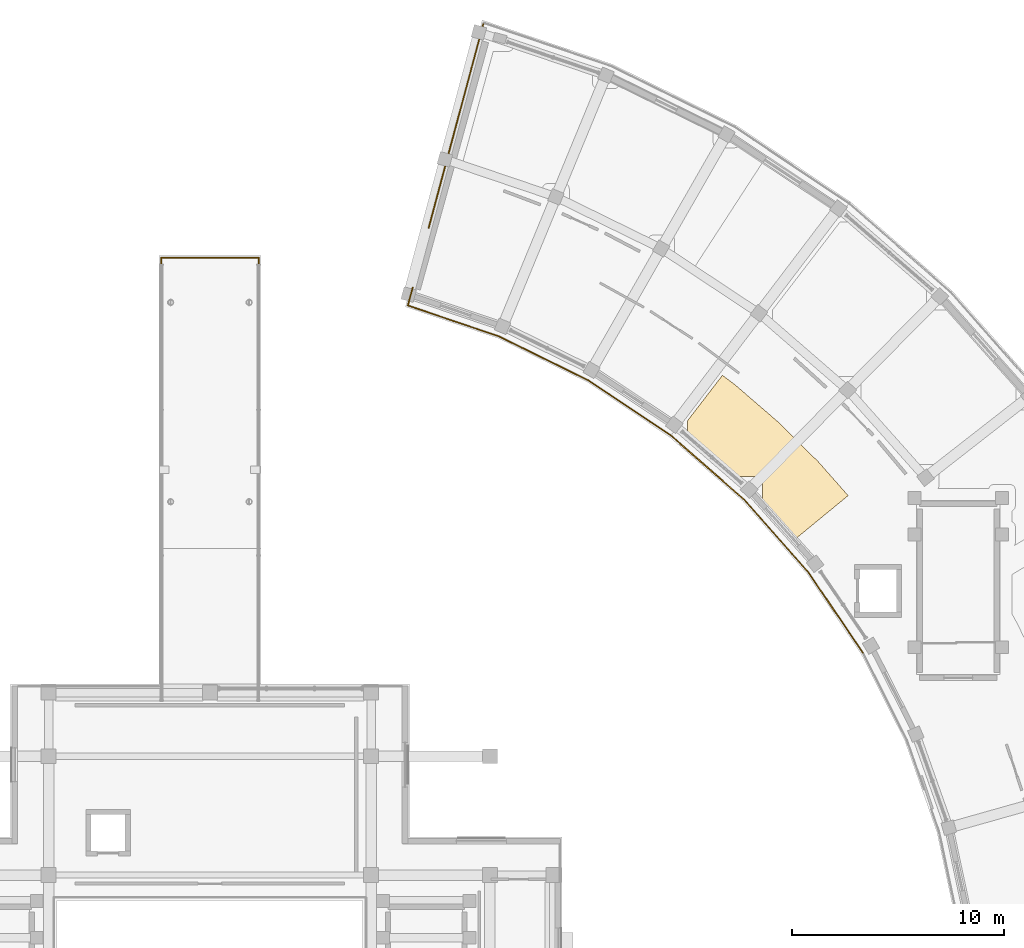
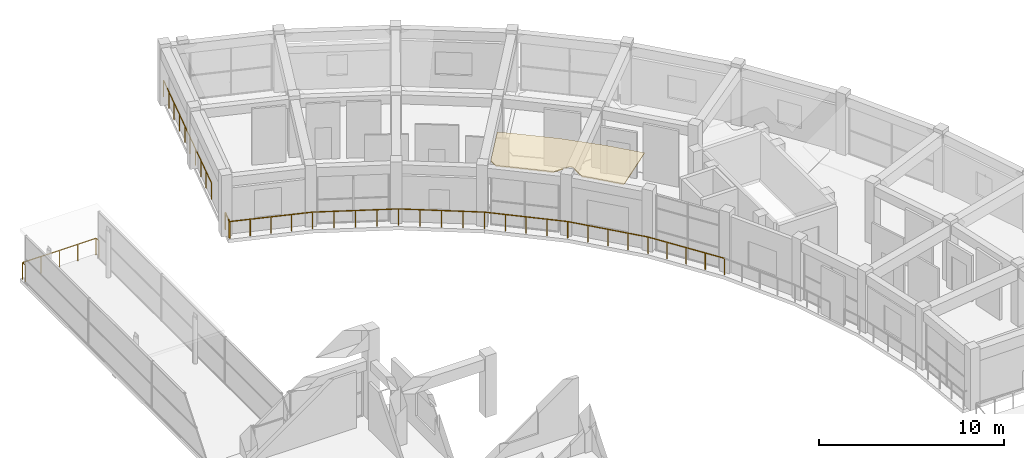
# One storey, part 27 of 29: 11 railings, 1 covering.
"""IFC4 building model written with IfcOpenShell, lengths in metres."""

from ifc_helpers import new_model, si_unit, direction, frame, origin, origin_2d, place, context, subcontext, project, spatial, polyline, rectangle, outline, extrude, material, layer, layer_set, type_object, element, save


model = new_model("IFC4")

# Units and contexts
model_context = context("Model", 3, precision=1e-05, world=origin(), true_north=direction((0.0, 1.0)))
body_context = subcontext(model_context, "Body", "Model", "MODEL_VIEW")
ifc_project = project(units=[si_unit("LENGTHUNIT", "METRE"), si_unit("AREAUNIT", "SQUARE_METRE"), si_unit("VOLUMEUNIT", "CUBIC_METRE"), si_unit("PLANEANGLEUNIT", "RADIAN"), si_unit("MASSUNIT", "GRAM", prefix="KILO")], contexts=[model_context])

# Site, building, storey
site_placement = place(None, origin())
site = spatial("IfcSite", under=ifc_project, at=site_placement, CompositionType="ELEMENT")
building_placement = place(site_placement, origin())
building = spatial("IfcBuilding", under=site, at=building_placement, Name="Saryqyr Civic Hall", CompositionType="ELEMENT")
storey_placement = place(building_placement, frame((0.0, 0.0, 25.35009765625)))
storey = spatial("IfcBuildingStorey", under=building, at=storey_placement, Name="L06", CompositionType="ELEMENT", Elevation=25.35009765625)

# Covering
ifc_material_1 = material(Name="Mineral-fibre acoustic ceiling tile", Category="acoustic_tile")
ifc_layer_1 = layer(ifc_material_1, 0.06005859375, Name="Mineral-fibre acoustic ceiling tile")
ifc_layer_set_1 = layer_set([ifc_layer_1], Name="Mineral-fibre acoustic ceiling tile")
covering_type = type_object("IfcCoveringType", Name="INT-COV-CEIL-60", PredefinedType="CEILING", material=ifc_layer_set_1)
covering_placement = place(storey_placement, frame((0.0, 0.0, 3.75)))
element("IfcCovering", 1, at=covering_placement, inside=storey, type_object=covering_type, Name="Acoustic ceiling Senior Clerks' & Parliamentary Counsel Suite", PredefinedType="CEILING", context=body_context, shape_type="SweptSolid", body=[
    extrude(outline(polyline([(83.02734375, 109.268798828125), (83.037841796875, 109.290771484375), (83.046142578125, 109.31396484375), (83.052001953125, 109.337646484375), (83.0556640625, 109.362060546875), (83.056884765625, 109.386474609375), (83.056884765625, 110.146484375), (83.0556640625, 110.1708984375), (83.052001953125, 110.1953125), (83.046142578125, 110.218994140625), (83.037841796875, 110.2421875), (83.02734375, 110.264404296875), (83.014892578125, 110.285400390625), (83.000244140625, 110.30517578125), (82.983642578125, 110.3232421875), (82.965576171875, 110.33984375), (82.94580078125, 110.3544921875), (82.9248046875, 110.366943359375), (82.902587890625, 110.37744140625), (82.87939453125, 110.3857421875), (82.855712890625, 110.3916015625), (82.831298828125, 110.395263671875), (82.806884765625, 110.396484375), (82.046875, 110.396484375), (82.0224609375, 110.395263671875), (81.998046875, 110.3916015625), (81.974365234375, 110.3857421875), (81.951171875, 110.37744140625), (81.92919921875, 110.366943359375), (81.907958984375, 110.3544921875), (81.905029296875, 110.352294921875), (81.632080078125, 110.622314453125), (81.6044921875, 110.647705078125), (79.760986328125, 112.23876953125), (79.731689453125, 112.26220703125), (79.522216796875, 112.419677734375), (79.522705078125, 112.42431640625), (79.52392578125, 112.44873046875), (79.52392578125, 113.025390625), (81.162841796875, 115.1611328125), (81.74072265625, 114.727294921875), (83.77685546875, 112.970458984375), (85.6884765625, 111.07861328125), (87.089599609375, 109.489013671875), (84.634033203125, 107.46923828125), (83.388671875, 108.88232421875), (83.363037109375, 108.909423828125), (83.01708984375, 109.251708984375), (83.02734375, 109.268798828125)])), origin(), (0.0, 0.0, 1.0), 0.059814453125),
])

# Railings
ifc_material_2 = material(Name="Warm brushed brass and laminated glass", Category="glass")
ifc_layer_2 = layer(ifc_material_2, 0.06005859375, Name="Warm brushed brass and laminated glass")
ifc_layer_set_2 = layer_set([ifc_layer_2], Name="Warm brushed brass and laminated glass")
railing_type = type_object("IfcRailingType", Name="INT-RLG-BAL-1100", PredefinedType="BALUSTRADE", material=ifc_layer_set_2)
railing_1_placement = place(storey_placement, frame((85.219482421875, 105.866943359375, 0.0)))
element("IfcRailing", 2, at=railing_1_placement, inside=storey, type_object=railing_type, Name="Interior deck safety balustrade L06-002", PredefinedType="BALUSTRADE", context=body_context, shape_type="SweptSolid", body=[
    extrude(rectangle(XDim=0.048095703125, YDim=0.048095703125, at=origin_2d()), frame((0.0, 0.0, 1.09619140625), z_axis=(-0.661984324171, 0.74951768128, 0.0), x_axis=(-0.74951768128, -0.661984324171, 0.0)), (0.0, 0.0, 1.0), 4.585205078125),
    extrude(rectangle(XDim=0.0419921875, YDim=0.0419921875, at=origin_2d()), origin(), (0.0, 0.0, 1.0), 1.072021484375),
    extrude(rectangle(XDim=0.0419921875, YDim=0.0419921875, at=origin_2d()), frame((-0.7587890625, 0.859130859375, 0.0)), (0.0, 0.0, 1.0), 1.072021484375),
    extrude(rectangle(XDim=0.0419921875, YDim=0.0419921875, at=origin_2d()), frame((-1.517578125, 1.71826171875, 0.0)), (0.0, 0.0, 1.0), 1.072021484375),
    extrude(rectangle(XDim=0.0419921875, YDim=0.0419921875, at=origin_2d()), frame((-2.276611328125, 2.57763671875, 0.0)), (0.0, 0.0, 1.0), 1.072021484375),
    extrude(rectangle(XDim=0.0419921875, YDim=0.0419921875, at=origin_2d()), frame((-3.035400390625, 3.436767578125, 0.0)), (0.0, 0.0, 1.0), 1.072021484375),
])
railing_2_placement = place(storey_placement, frame((82.18408203125, 109.3037109375, 0.0)))
element("IfcRailing", 3, at=railing_2_placement, inside=storey, type_object=railing_type, Name="Interior deck safety balustrade L06-003", PredefinedType="BALUSTRADE", context=body_context, shape_type="SweptSolid", body=[
    extrude(rectangle(XDim=0.048095703125, YDim=0.048095703125, at=origin_2d()), frame((0.0, 0.0, 1.09619140625), z_axis=(-0.752629463161, 0.658444296188, 0.0), x_axis=(-0.658444296188, -0.752629463161, 0.0)), (0.0, 0.0, 1.0), 4.58544921875),
    extrude(rectangle(XDim=0.0419921875, YDim=0.0419921875, at=origin_2d()), origin(), (0.0, 0.0, 1.0), 1.072021484375),
    extrude(rectangle(XDim=0.0419921875, YDim=0.0419921875, at=origin_2d()), frame((-0.86279296875, 0.7548828125, 0.0)), (0.0, 0.0, 1.0), 1.072021484375),
    extrude(rectangle(XDim=0.0419921875, YDim=0.0419921875, at=origin_2d()), frame((-1.7255859375, 1.509765625, 0.0)), (0.0, 0.0, 1.0), 1.072021484375),
    extrude(rectangle(XDim=0.0419921875, YDim=0.0419921875, at=origin_2d()), frame((-2.58837890625, 2.264404296875, 0.0)), (0.0, 0.0, 1.0), 1.072021484375),
    extrude(rectangle(XDim=0.0419921875, YDim=0.0419921875, at=origin_2d()), frame((-3.451171875, 3.019287109375, 0.0)), (0.0, 0.0, 1.0), 1.072021484375),
])
railing_3_placement = place(storey_placement, frame((78.73291015625, 112.322998046875, 0.0)))
element("IfcRailing", 4, at=railing_3_placement, inside=storey, type_object=railing_type, Name="Interior deck safety balustrade L06-004", PredefinedType="BALUSTRADE", context=body_context, shape_type="SweptSolid", body=[
    extrude(rectangle(XDim=0.048095703125, YDim=0.048095703125, at=origin_2d()), frame((0.0, 0.0, 1.09619140625), z_axis=(-0.831486832924, 0.555544459674, 0.0), x_axis=(-0.555544459674, -0.831486832924, 0.0)), (0.0, 0.0, 1.0), 4.669677734375),
    extrude(rectangle(XDim=0.0419921875, YDim=0.0419921875, at=origin_2d()), origin(), (0.0, 0.0, 1.0), 1.072021484375),
    extrude(rectangle(XDim=0.0419921875, YDim=0.0419921875, at=origin_2d()), frame((-0.970703125, 0.6484375, 0.0)), (0.0, 0.0, 1.0), 1.072021484375),
    extrude(rectangle(XDim=0.0419921875, YDim=0.0419921875, at=origin_2d()), frame((-1.94140625, 1.297119140625, 0.0)), (0.0, 0.0, 1.0), 1.072021484375),
    extrude(rectangle(XDim=0.0419921875, YDim=0.0419921875, at=origin_2d()), frame((-2.912109375, 1.94580078125, 0.0)), (0.0, 0.0, 1.0), 1.072021484375),
    extrude(rectangle(XDim=0.0419921875, YDim=0.0419921875, at=origin_2d()), frame((-3.8828125, 2.59423828125, 0.0)), (0.0, 0.0, 1.0), 1.072021484375),
])
railing_4_placement = place(storey_placement, frame((74.85009765625, 114.917236328125, 0.0)))
element("IfcRailing", 5, at=railing_4_placement, inside=storey, type_object=railing_type, Name="Interior deck safety balustrade L06-005", PredefinedType="BALUSTRADE", context=body_context, shape_type="SweptSolid", body=[
    extrude(rectangle(XDim=0.048095703125, YDim=0.048095703125, at=origin_2d()), frame((0.0, 0.0, 1.09619140625), z_axis=(-0.896870870578, 0.44229248412, 0.0), x_axis=(-0.44229248412, -0.896870870578, 0.0)), (0.0, 0.0, 1.0), 4.669921875),
    extrude(rectangle(XDim=0.0419921875, YDim=0.0419921875, at=origin_2d()), origin(), (0.0, 0.0, 1.0), 1.072021484375),
    extrude(rectangle(XDim=0.0419921875, YDim=0.0419921875, at=origin_2d()), frame((-1.047119140625, 0.516357421875, 0.0)), (0.0, 0.0, 1.0), 1.072021484375),
    extrude(rectangle(XDim=0.0419921875, YDim=0.0419921875, at=origin_2d()), frame((-2.09423828125, 1.03271484375, 0.0)), (0.0, 0.0, 1.0), 1.072021484375),
    extrude(rectangle(XDim=0.0419921875, YDim=0.0419921875, at=origin_2d()), frame((-3.14111328125, 1.549072265625, 0.0)), (0.0, 0.0, 1.0), 1.072021484375),
    extrude(rectangle(XDim=0.0419921875, YDim=0.0419921875, at=origin_2d()), frame((-4.188232421875, 2.0654296875, 0.0)), (0.0, 0.0, 1.0), 1.072021484375),
])
railing_5_placement = place(storey_placement, frame((70.661865234375, 116.982666015625, 0.0)))
element("IfcRailing", 6, at=railing_5_placement, inside=storey, type_object=railing_type, Name="Interior deck safety balustrade L06-006", PredefinedType="BALUSTRADE", context=body_context, shape_type="SweptSolid", body=[
    extrude(rectangle(XDim=0.048095703125, YDim=0.048095703125, at=origin_2d()), frame((0.0, 0.0, 1.09619140625), z_axis=(-0.946921791476, 0.321464027269, 0.0), x_axis=(-0.321464027269, -0.946921791476, 0.0)), (0.0, 0.0, 1.0), 4.569580078125),
    extrude(rectangle(XDim=0.0419921875, YDim=0.0419921875, at=origin_2d()), origin(), (0.0, 0.0, 1.0), 1.072021484375),
    extrude(rectangle(XDim=0.0419921875, YDim=0.0419921875, at=origin_2d()), frame((-1.081787109375, 0.3671875, 0.0)), (0.0, 0.0, 1.0), 1.072021484375),
    extrude(rectangle(XDim=0.0419921875, YDim=0.0419921875, at=origin_2d()), frame((-2.16357421875, 0.734375, 0.0)), (0.0, 0.0, 1.0), 1.072021484375),
    extrude(rectangle(XDim=0.0419921875, YDim=0.0419921875, at=origin_2d()), frame((-3.245361328125, 1.101806640625, 0.0)), (0.0, 0.0, 1.0), 1.072021484375),
    extrude(rectangle(XDim=0.0419921875, YDim=0.0419921875, at=origin_2d()), frame((-4.3271484375, 1.468994140625, 0.0)), (0.0, 0.0, 1.0), 1.072021484375),
])
railing_6_placement = place(storey_placement, frame((66.334716796875, 118.45166015625, 0.0)))
element("IfcRailing", 7, at=railing_6_placement, inside=storey, type_object=railing_type, Name="Interior deck safety balustrade L06-007", PredefinedType="BALUSTRADE", context=body_context, shape_type="SweptSolid", body=[
    extrude(rectangle(XDim=0.048095703125, YDim=0.048095703125, at=origin_2d()), frame((0.0, 0.0, 1.09619140625), z_axis=(0.258797820574, 0.965931513134, 0.0), x_axis=(-0.965931513134, 0.258797820574, 0.0)), (0.0, 0.0, 1.0), 0.856689453125),
    extrude(rectangle(XDim=0.0419921875, YDim=0.0419921875, at=origin_2d()), origin(), (0.0, 0.0, 1.0), 1.072021484375),
    extrude(rectangle(XDim=0.0419921875, YDim=0.0419921875, at=origin_2d()), frame((0.2216796875, 0.827392578125, 0.0)), (0.0, 0.0, 1.0), 1.072021484375),
])
railing_7_placement = place(storey_placement, frame((67.3134765625, 122.104248046875, 0.0)))
element("IfcRailing", 8, at=railing_7_placement, inside=storey, type_object=railing_type, Name="Interior deck safety balustrade L06-008", PredefinedType="BALUSTRADE", context=body_context, shape_type="SweptSolid", body=[
    extrude(rectangle(XDim=0.048095703125, YDim=0.048095703125, at=origin_2d()), frame((0.0, 0.0, 1.09619140625), z_axis=(0.258831910076, 0.965922379038, 0.0), x_axis=(-0.965922379038, 0.258831910076, 0.0)), (0.0, 0.0, 1.0), 10.01806640625),
    extrude(rectangle(XDim=0.0419921875, YDim=0.0419921875, at=origin_2d()), origin(), (0.0, 0.0, 1.0), 1.072021484375),
    extrude(rectangle(XDim=0.0419921875, YDim=0.0419921875, at=origin_2d()), frame((0.2880859375, 1.0751953125, 0.0)), (0.0, 0.0, 1.0), 1.072021484375),
    extrude(rectangle(XDim=0.0419921875, YDim=0.0419921875, at=origin_2d()), frame((0.576171875, 2.150390625, 0.0)), (0.0, 0.0, 1.0), 1.072021484375),
    extrude(rectangle(XDim=0.0419921875, YDim=0.0419921875, at=origin_2d()), frame((0.8642578125, 3.2255859375, 0.0)), (0.0, 0.0, 1.0), 1.072021484375),
    extrude(rectangle(XDim=0.0419921875, YDim=0.0419921875, at=origin_2d()), frame((1.15234375, 4.30078125, 0.0)), (0.0, 0.0, 1.0), 1.072021484375),
    extrude(rectangle(XDim=0.0419921875, YDim=0.0419921875, at=origin_2d()), frame((1.440673828125, 5.3759765625, 0.0)), (0.0, 0.0, 1.0), 1.072021484375),
    extrude(rectangle(XDim=0.0419921875, YDim=0.0419921875, at=origin_2d()), frame((1.728759765625, 6.451171875, 0.0)), (0.0, 0.0, 1.0), 1.072021484375),
    extrude(rectangle(XDim=0.0419921875, YDim=0.0419921875, at=origin_2d()), frame((2.016845703125, 7.5263671875, 0.0)), (0.0, 0.0, 1.0), 1.072021484375),
    extrude(rectangle(XDim=0.0419921875, YDim=0.0419921875, at=origin_2d()), frame((2.304931640625, 8.6015625, 0.0)), (0.0, 0.0, 1.0), 1.072021484375),
    extrude(rectangle(XDim=0.0419921875, YDim=0.0419921875, at=origin_2d()), frame((2.593017578125, 9.6767578125, 0.0)), (0.0, 0.0, 1.0), 1.072021484375),
])
railing_8_placement = place(storey_placement, frame((87.78955078125, 102.0693359375, 0.0)))
element("IfcRailing", 9, at=railing_8_placement, inside=storey, type_object=railing_type, Name="Interior deck safety balustrade L06-026", PredefinedType="BALUSTRADE", context=body_context, shape_type="SweptSolid", body=[
    extrude(rectangle(XDim=0.048095703125, YDim=0.048095703125, at=origin_2d()), frame((0.0, 0.0, 1.09619140625), z_axis=(-0.560473726113, 0.828172205726, 0.0), x_axis=(-0.828172205726, -0.560473726113, 0.0)), (0.0, 0.0, 1.0), 4.58544921875),
    extrude(rectangle(XDim=0.0419921875, YDim=0.0419921875, at=origin_2d()), origin(), (0.0, 0.0, 1.0), 1.072021484375),
    extrude(rectangle(XDim=0.0419921875, YDim=0.0419921875, at=origin_2d()), frame((-0.642578125, 0.949462890625, 0.0)), (0.0, 0.0, 1.0), 1.072021484375),
    extrude(rectangle(XDim=0.0419921875, YDim=0.0419921875, at=origin_2d()), frame((-1.28515625, 1.89892578125, 0.0)), (0.0, 0.0, 1.0), 1.072021484375),
    extrude(rectangle(XDim=0.0419921875, YDim=0.0419921875, at=origin_2d()), frame((-1.927490234375, 2.84814453125, 0.0)), (0.0, 0.0, 1.0), 1.072021484375),
    extrude(rectangle(XDim=0.0419921875, YDim=0.0419921875, at=origin_2d()), frame((-2.570068359375, 3.797607421875, 0.0)), (0.0, 0.0, 1.0), 1.072021484375),
])
railing_9_placement = place(storey_placement, frame((54.699951171875, 120.39990234375, 0.0)))
element("IfcRailing", 10, at=railing_9_placement, inside=storey, type_object=railing_type, Name="Interior deck safety balustrade L06-033", PredefinedType="BALUSTRADE", context=body_context, shape_type="SweptSolid", body=[
    extrude(rectangle(XDim=0.048095703125, YDim=0.048095703125, at=origin_2d()), frame((0.0, 0.0, 1.09619140625), z_axis=(0.0, 1.0, 0.0), x_axis=(-1.0, 0.0, 0.0)), (0.0, 0.0, 1.0), 0.300048828125),
    extrude(rectangle(XDim=0.0419921875, YDim=0.0419921875, at=origin_2d()), origin(), (0.0, 0.0, 1.0), 1.072021484375),
    extrude(rectangle(XDim=0.0419921875, YDim=0.0419921875, at=origin_2d()), frame((0.0, 0.300048828125, 0.0)), (0.0, 0.0, 1.0), 1.072021484375),
])
railing_10_placement = place(storey_placement, frame((54.699951171875, 120.699951171875, 0.0)))
element("IfcRailing", 11, at=railing_10_placement, inside=storey, type_object=railing_type, Name="Interior deck safety balustrade L06-034", PredefinedType="BALUSTRADE", context=body_context, shape_type="SweptSolid", body=[
    extrude(rectangle(XDim=0.048095703125, YDim=0.048095703125, at=origin_2d()), frame((0.0, 0.0, 1.09619140625), z_axis=(1.0, 0.0, 0.0), x_axis=(0.0, 1.0, 0.0)), (0.0, 0.0, 1.0), 4.60009765625),
    extrude(rectangle(XDim=0.0419921875, YDim=0.0419921875, at=origin_2d()), origin(), (0.0, 0.0, 1.0), 1.072021484375),
    extrude(rectangle(XDim=0.0419921875, YDim=0.0419921875, at=origin_2d()), frame((1.14990234375, 0.0, 0.0)), (0.0, 0.0, 1.0), 1.072021484375),
    extrude(rectangle(XDim=0.0419921875, YDim=0.0419921875, at=origin_2d()), frame((2.300048828125, 0.0, 0.0)), (0.0, 0.0, 1.0), 1.072021484375),
    extrude(rectangle(XDim=0.0419921875, YDim=0.0419921875, at=origin_2d()), frame((3.4501953125, 0.0, 0.0)), (0.0, 0.0, 1.0), 1.072021484375),
    extrude(rectangle(XDim=0.0419921875, YDim=0.0419921875, at=origin_2d()), frame((4.60009765625, 0.0, 0.0)), (0.0, 0.0, 1.0), 1.072021484375),
])
railing_11_placement = place(storey_placement, frame((59.300048828125, 120.699951171875, 0.0)))
element("IfcRailing", 12, at=railing_11_placement, inside=storey, type_object=railing_type, Name="Interior deck safety balustrade L06-035", PredefinedType="BALUSTRADE", context=body_context, shape_type="SweptSolid", body=[
    extrude(rectangle(XDim=0.048095703125, YDim=0.048095703125, at=origin_2d()), frame((0.0, 0.0, 1.09619140625), z_axis=(0.0, -1.0, 0.0), x_axis=(1.0, 0.0, 0.0)), (0.0, 0.0, 1.0), 0.300048828125),
    extrude(rectangle(XDim=0.0419921875, YDim=0.0419921875, at=origin_2d()), origin(), (0.0, 0.0, 1.0), 1.072021484375),
    extrude(rectangle(XDim=0.0419921875, YDim=0.0419921875, at=origin_2d()), frame((0.0, -0.300048828125, 0.0)), (0.0, 0.0, 1.0), 1.072021484375),
])

save(model, "model.ifc")
